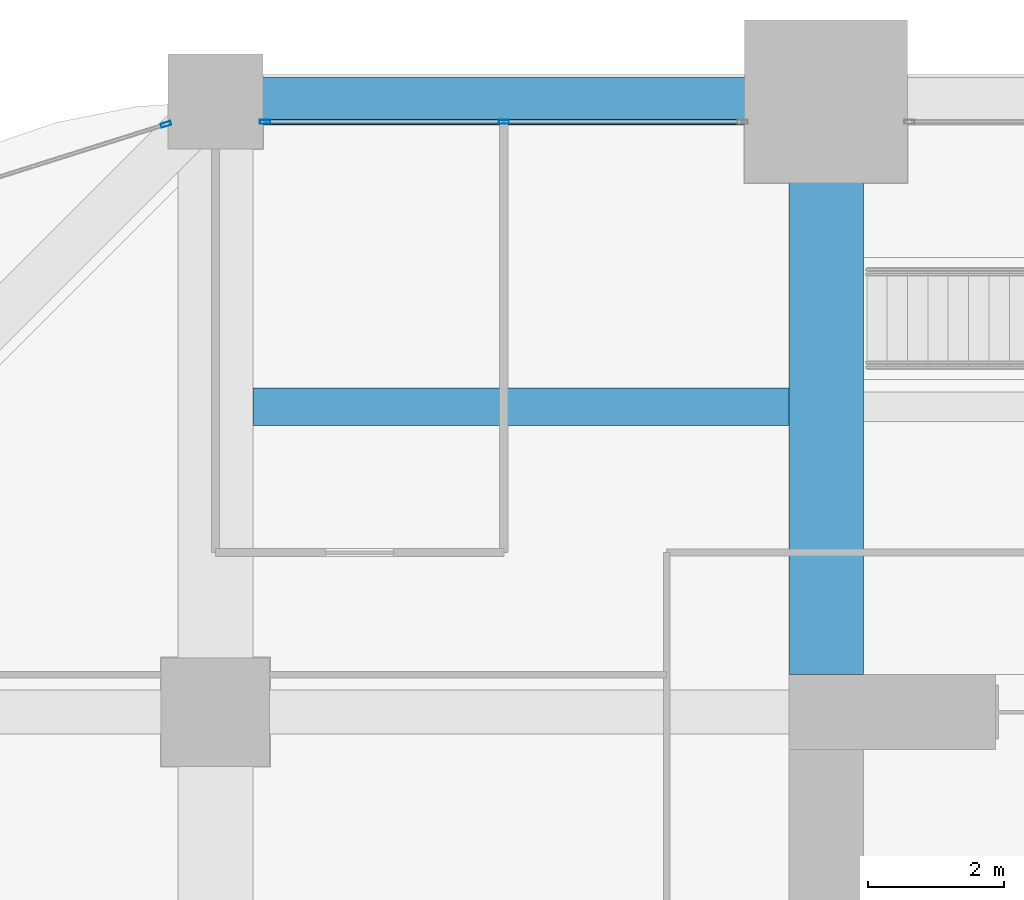
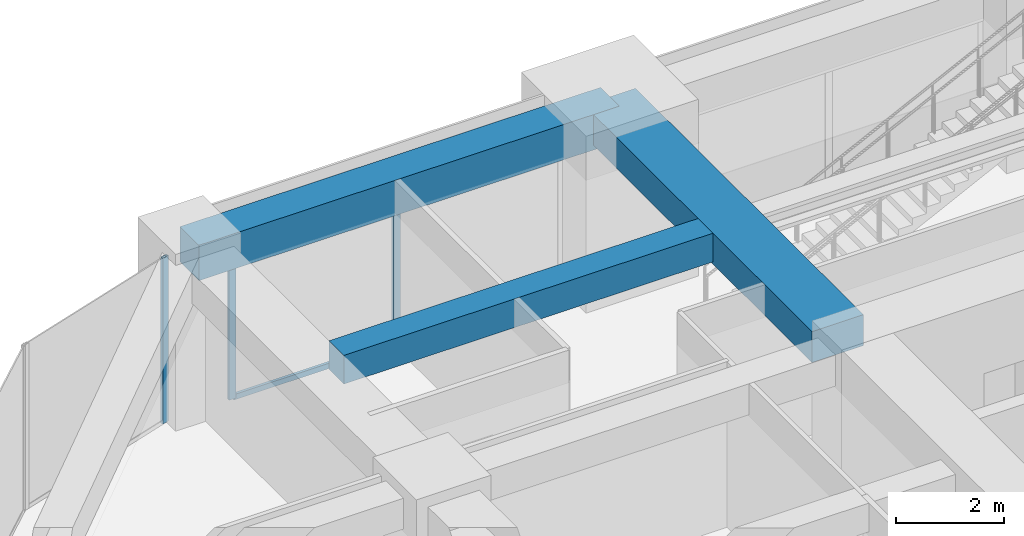
# One storey, part 23 of 33: 4 members, 3 beams, 2 elements without a shape of their own.
"""IFC4 building model written with IfcOpenShell, lengths in metres."""

from ifc_helpers import new_model, si_unit, direction, frame, origin, origin_2d, place, context, subcontext, project, spatial, rectangle, hollow_rectangle, extrude, material, material_profile, profile_set, type_object, element, aggregate, save


model = new_model("IFC4")

# Units and contexts
model_context = context("Model", 3, precision=1e-05, world=origin(), true_north=direction((0.0, 1.0)))
body_context = subcontext(model_context, "Body", "Model", "MODEL_VIEW")
ifc_project = project(units=[si_unit("LENGTHUNIT", "METRE"), si_unit("AREAUNIT", "SQUARE_METRE"), si_unit("VOLUMEUNIT", "CUBIC_METRE"), si_unit("PLANEANGLEUNIT", "RADIAN"), si_unit("MASSUNIT", "GRAM", prefix="KILO")], contexts=[model_context])

# Site, building, storey
site_placement = place(None, origin())
site = spatial("IfcSite", under=ifc_project, at=site_placement, CompositionType="ELEMENT")
building_placement = place(site_placement, origin())
building = spatial("IfcBuilding", under=site, at=building_placement, Name="Zorevar Civic Tower", CompositionType="ELEMENT")
storey_placement = place(building_placement, frame((0.0, 0.0, 194.199951171875)))
storey = spatial("IfcBuildingStorey", under=building, at=storey_placement, Name="L47", CompositionType="ELEMENT", Elevation=194.199951171875)

# Beams
ifc_material_1 = material(Name="Concrete C50/60", Category="concrete")
ifc_material_profile_1 = material_profile(ifc_material_1, rectangle(XDim=1.10009765625, YDim=0.699951171875, at=origin_2d()), Name="RC 1100x700")
ifc_profile_set_1 = profile_set([ifc_material_profile_1], Name="Concrete C50/60")
beam_type_1 = type_object("IfcBeamType", Name="Beam RC 1100x700", PredefinedType="BEAM", material=ifc_profile_set_1)
beam_1_placement = place(storey_placement, frame((18.0, 36.550048828125, 3.400146484375), z_axis=(0.0, 1.0, 0.0), x_axis=(-1.0, 0.0, 0.0)))
element("IfcBeam", 1, at=beam_1_placement, inside=storey, type_object=beam_type_1, Name="Girder L48", PredefinedType="BEAM", context=body_context, shape_type="SweptSolid", body=[
    extrude(rectangle(XDim=1.10009765625, YDim=0.699951171875, at=origin_2d()), origin(), (0.0, 0.0, 1.0), 8.449951171875),
])
ifc_material_2 = material(Name="Concrete C50/60", Category="concrete")
ifc_material_profile_2 = material_profile(ifc_material_2, rectangle(XDim=0.550048828125, YDim=0.64990234375, at=origin_2d()), Name="RC 550x650")
ifc_profile_set_2 = profile_set([ifc_material_profile_2], Name="Concrete C50/60")
beam_type_2 = type_object("IfcBeamType", Name="Beam RC 550x650", PredefinedType="BEAM", material=ifc_profile_set_2)
beam_2_placement = place(storey_placement, frame((9.550048828125, 40.5, 3.425048828125), z_axis=(1.0, 0.0, 0.0), x_axis=(0.0, 1.0, 0.0)))
element("IfcBeam", 2, at=beam_2_placement, inside=storey, type_object=beam_type_2, Name="Secondary beam L48", PredefinedType="BEAM", context=body_context, shape_type="SweptSolid", body=[
    extrude(rectangle(XDim=0.550048828125, YDim=0.64990234375, at=origin_2d()), origin(), (0.0, 0.0, 1.0), 7.89990234375),
])

# Curtain wall, members
ifc_material_3 = material(Name="Dark grey solar-control glass in black aluminium frame", Category="aluminium")
curtain_wall_type = type_object("IfcCurtainWallType", Name="Curtain wall CW4 high zone", PredefinedType="NOTDEFINED", material=ifc_material_3)
curtain_wall_1_placement = place(storey_placement, origin())
curtain_wall_1 = element("IfcCurtainWall", 3, at=curtain_wall_1_placement, inside=storey, type_object=curtain_wall_type, Name="CW4 L47", PredefinedType="NOTDEFINED")
ifc_material_4 = material(Name="Aluminium, black anodised", Category="aluminium")
ifc_material_profile_3 = material_profile(ifc_material_4, hollow_rectangle(XDim=0.06005859375, YDim=0.14990234375, WallThickness=0.00390625, at=origin_2d()), Name="AL 150x60x4")
ifc_profile_set_3 = profile_set([ifc_material_profile_3], Name="Aluminium, black anodised")
member_type_1 = type_object("IfcMemberType", Name="CW4 mullion AL 150x60x4", PredefinedType="MULLION", material=ifc_profile_set_3)
member_1_placement = place(storey_placement, frame((9.72998046875, 44.699951171875, 0.0), z_axis=(0.0, 0.0, 1.0), x_axis=(0.0, 1.0, 0.0)))
member_1 = element("IfcMember", 4, at=member_1_placement, type_object=member_type_1, Name="CW4 mullion 1", PredefinedType="MULLION", context=body_context, shape_type="SweptSolid", body=[
    extrude(hollow_rectangle(XDim=0.06005859375, YDim=0.14990234375, WallThickness=0.00390625, at=origin_2d()), origin(), (0.0, 0.0, 1.0), 2.949951171875),
])
member_2_placement = place(storey_placement, frame((13.25, 44.699951171875, 0.06005859375), z_axis=(0.0, 0.0, 1.0), x_axis=(0.0, 1.0, 0.0)))
member_2 = element("IfcMember", 5, at=member_2_placement, type_object=member_type_1, Name="CW4 mullion 2", PredefinedType="MULLION", context=body_context, shape_type="SweptSolid", body=[
    extrude(hollow_rectangle(XDim=0.06005859375, YDim=0.14990234375, WallThickness=0.00390625, at=origin_2d()), origin(), (0.0, 0.0, 1.0), 2.889892578125),
])

# Curtain wall, member
curtain_wall_2_placement = place(storey_placement, origin())
curtain_wall_2 = element("IfcCurtainWall", 6, at=curtain_wall_2_placement, inside=storey, type_object=curtain_wall_type, Name="CW4 L47", PredefinedType="NOTDEFINED")
member_3_placement = place(storey_placement, frame((8.271484375, 44.66259765625, 0.0), z_axis=(0.0, 0.0, 1.0), x_axis=(0.301108296077, -0.953589950678, 0.0)))
member_3 = element("IfcMember", 7, at=member_3_placement, type_object=member_type_1, Name="CW4 mullion 1", PredefinedType="MULLION", context=body_context, shape_type="SweptSolid", body=[
    extrude(hollow_rectangle(XDim=0.06005859375, YDim=0.14990234375, WallThickness=0.00390625, at=origin_2d()), origin(), (0.0, 0.0, 1.0), 3.75),
])
aggregate(curtain_wall_2, [member_3])

# Member
ifc_material_5 = material(Name="Aluminium, black anodised", Category="aluminium")
ifc_material_profile_4 = material_profile(ifc_material_5, hollow_rectangle(XDim=0.06005859375, YDim=0.1201171875, WallThickness=0.0029296875, at=origin_2d()), Name="AL 120x60x3")
ifc_profile_set_4 = profile_set([ifc_material_profile_4], Name="Aluminium, black anodised")
member_type_2 = type_object("IfcMemberType", Name="CW4 transom AL 120x60x3", PredefinedType="USERDEFINED", material=ifc_profile_set_4)
member_4_placement = place(storey_placement, frame((9.760009765625, 44.699951171875, 0.030029296875), z_axis=(1.0, 0.0, 0.0), x_axis=(0.0, 1.0, 0.0)))
member_4 = element("IfcMember", 8, at=member_4_placement, type_object=member_type_2, Name="CW4 sill transom", ObjectType="TRANSOM", PredefinedType="USERDEFINED", context=body_context, shape_type="SweptSolid", body=[
    extrude(hollow_rectangle(XDim=0.06005859375, YDim=0.1201171875, WallThickness=0.0029296875, at=origin_2d()), origin(), (0.0, 0.0, 1.0), 6.97998046875),
])

aggregate(curtain_wall_1, [member_1, member_2, member_4])

# Beam
ifc_material_6 = material(Name="Concrete C50/60", Category="concrete")
ifc_material_profile_5 = material_profile(ifc_material_6, rectangle(XDim=0.699951171875, YDim=0.800048828125, at=origin_2d()), Name="RC 700x800")
ifc_profile_set_5 = profile_set([ifc_material_profile_5], Name="Concrete C50/60")
beam_type_3 = type_object("IfcBeamType", Name="Edge beam RC 700x800", PredefinedType="SPANDREL", material=ifc_profile_set_5)
beam_3_placement = place(storey_placement, frame((9.0, 45.0, 3.35009765625), z_axis=(1.0, 0.0, 0.0), x_axis=(0.0, 1.0, 0.0)))
element("IfcBeam", 9, at=beam_3_placement, inside=storey, type_object=beam_type_3, Name="Edge beam L48", PredefinedType="SPANDREL", context=body_context, shape_type="SweptSolid", body=[
    extrude(rectangle(XDim=0.699951171875, YDim=0.800048828125, at=origin_2d()), origin(), (0.0, 0.0, 1.0), 9.0),
])

save(model, "model.ifc")
